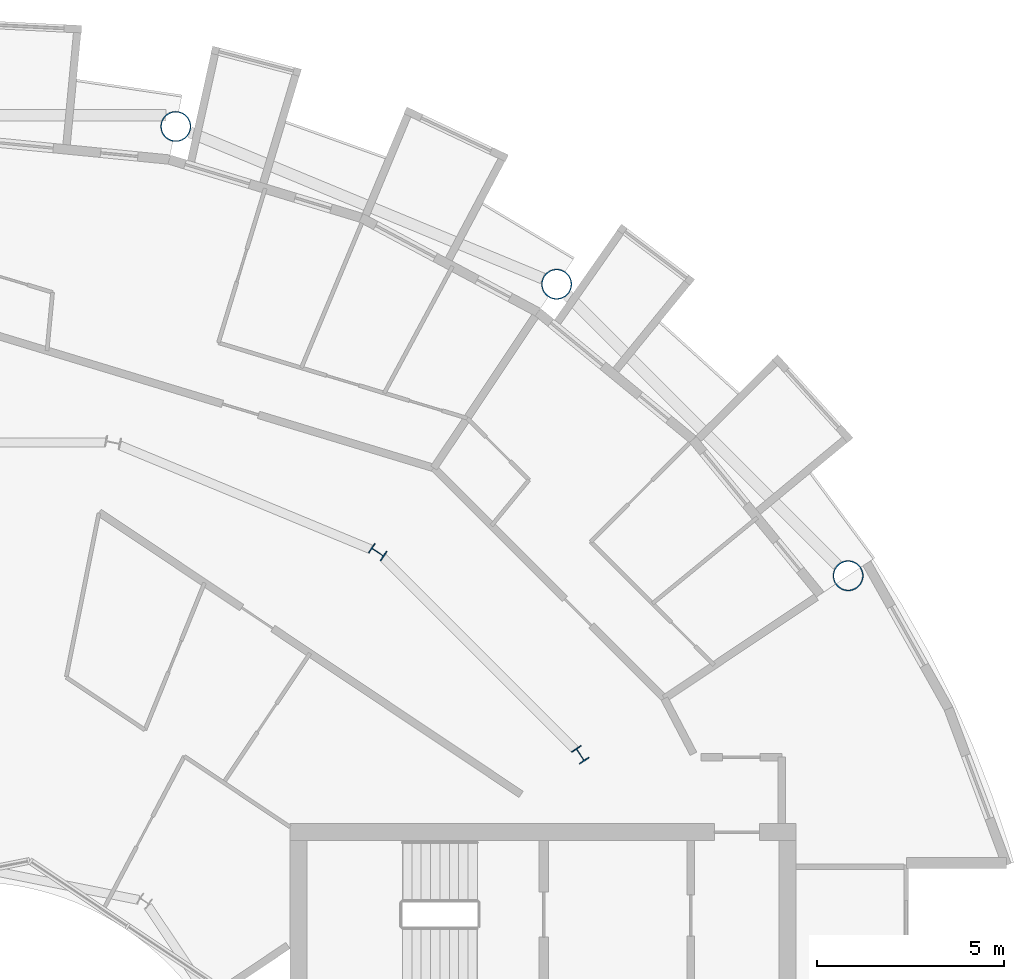
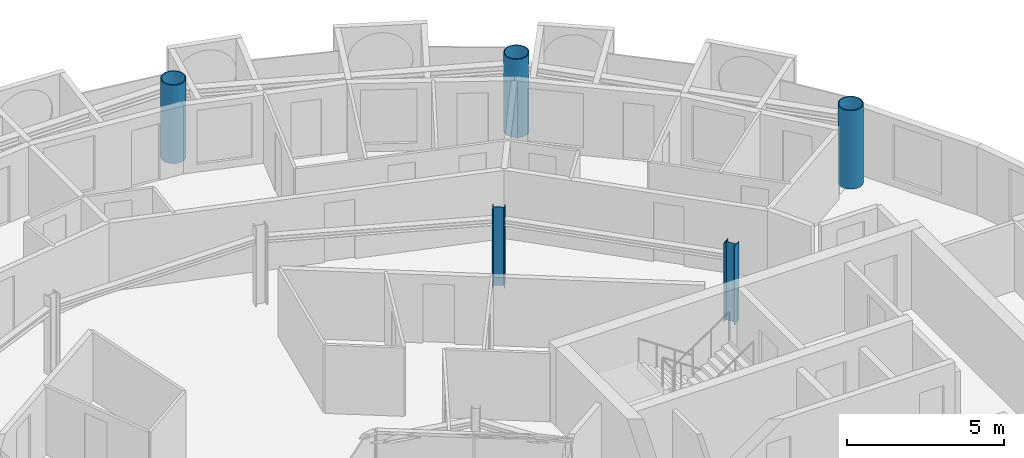
# One storey, part 5 of 28: 5 columns.
"""IFC4 building model written with IfcOpenShell, lengths in metres."""

from ifc_helpers import new_model, si_unit, direction, frame, origin, origin_2d, place, context, subcontext, project, spatial, hollow_circle, i_section, extrude, material, material_profile, profile_set, type_object, element, save


model = new_model("IFC4")

# Units and contexts
model_context = context("Model", 3, precision=1e-05, world=origin(), true_north=direction((0.0, 1.0)))
body_context = subcontext(model_context, "Body", "Model", "MODEL_VIEW")
ifc_project = project(units=[si_unit("LENGTHUNIT", "METRE"), si_unit("AREAUNIT", "SQUARE_METRE"), si_unit("VOLUMEUNIT", "CUBIC_METRE"), si_unit("PLANEANGLEUNIT", "RADIAN"), si_unit("MASSUNIT", "GRAM", prefix="KILO")], contexts=[model_context])

# Site, building, storey
site_placement = place(None, origin())
site = spatial("IfcSite", under=ifc_project, at=site_placement, CompositionType="ELEMENT")
building_placement = place(site_placement, origin())
building = spatial("IfcBuilding", under=site, at=building_placement, Name="Maasbend Ring Residences", CompositionType="ELEMENT")
storey_placement = place(building_placement, frame((0.0, 0.0, 218.800048828125)))
storey = spatial("IfcBuildingStorey", under=building, at=storey_placement, Name="L63", CompositionType="ELEMENT", Elevation=218.800048828125)

# Columns
ifc_material_1 = material(Name="Composite concrete-filled steel tube S460NH / C80/95", Category="concrete")
ifc_material_profile_1 = material_profile(ifc_material_1, hollow_circle(Radius=0.406494140625, WallThickness=0.030029296875, at=origin_2d()), Name="Composite tube column CHS 813x30")
ifc_profile_set_1 = profile_set([ifc_material_profile_1], Name="Composite concrete-filled steel tube S460NH / C80/95")
column_type_1 = type_object("IfcColumnType", Name="Composite tube column CHS 813x30", PredefinedType="COLUMN", material=ifc_profile_set_1)
for number, where, z_axis, x_axis, name in (
    (1, (23.447509765625, 15.6669921875, 0.0), (0.0, 0.0, 1.0), (1.0, 0.0, 0.0), "Outer column R2"),
    (2, (15.6669921875, 23.447509765625, 0.0), (0.0, 0.0, 1.0), (1.0, 0.0, 0.0), "Outer column R3"),
    (3, (5.50146484375, 27.658203125, 0.0), (0.0, 0.0, 1.0), (1.0, 0.0, 0.0), "Outer column R4"),
):
    element("IfcColumn", number, at=place(storey_placement, frame(where, z_axis=z_axis, x_axis=x_axis)), inside=storey, type_object=column_type_1, Name=name, PredefinedType="COLUMN", context=body_context, shape_type="SweptSolid", body=[
        extrude(hollow_circle(Radius=0.406494140625, WallThickness=0.030029296875, at=origin_2d()), origin(), (0.0, 0.0, 1.0), 3.050048828125),
    ])
ifc_material_2 = material(Name="Steel S355J2", Category="steel")
ifc_material_profile_2 = material_profile(ifc_material_2, i_section(OverallWidth=0.300048828125, OverallDepth=0.39990234375, WebThickness=0.013427734375, FlangeThickness=0.02392578125, FilletRadius=0.027099609375, at=origin_2d()), Name="HEB 400")
ifc_profile_set_2 = profile_set([ifc_material_profile_2], Name="Steel S355J2")
column_type_2 = type_object("IfcColumnType", Name="Steel column HEB 400", PredefinedType="COLUMN", material=ifc_profile_set_2)
for number, where, z_axis, x_axis, name in (
    (4, (16.296875, 10.88916015625, 0.0), (0.0, 0.0, 1.0), (0.831469612303, 0.55557023302, 0.0), "Corridor ring column R2"),
    (5, (10.88916015625, 16.296875, 0.0), (0.0, 0.0, 1.0), (0.55557023302, 0.831469612303, 0.0), "Corridor ring column R3"),
):
    element("IfcColumn", number, at=place(storey_placement, frame(where, z_axis=z_axis, x_axis=x_axis)), inside=storey, type_object=column_type_2, Name=name, PredefinedType="COLUMN", context=body_context, shape_type="SweptSolid", body=[
        extrude(i_section(OverallWidth=0.300048828125, OverallDepth=0.39990234375, WebThickness=0.013427734375, FlangeThickness=0.02392578125, FilletRadius=0.027099609375, at=origin_2d()), origin(), (0.0, 0.0, 1.0), 3.050048828125),
    ])

save(model, "model.ifc")
